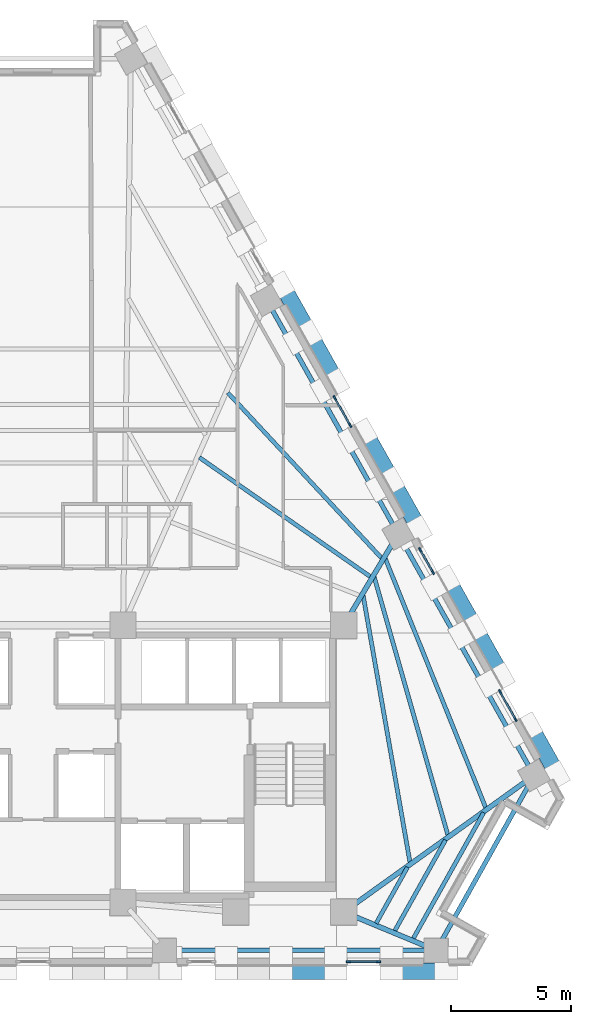
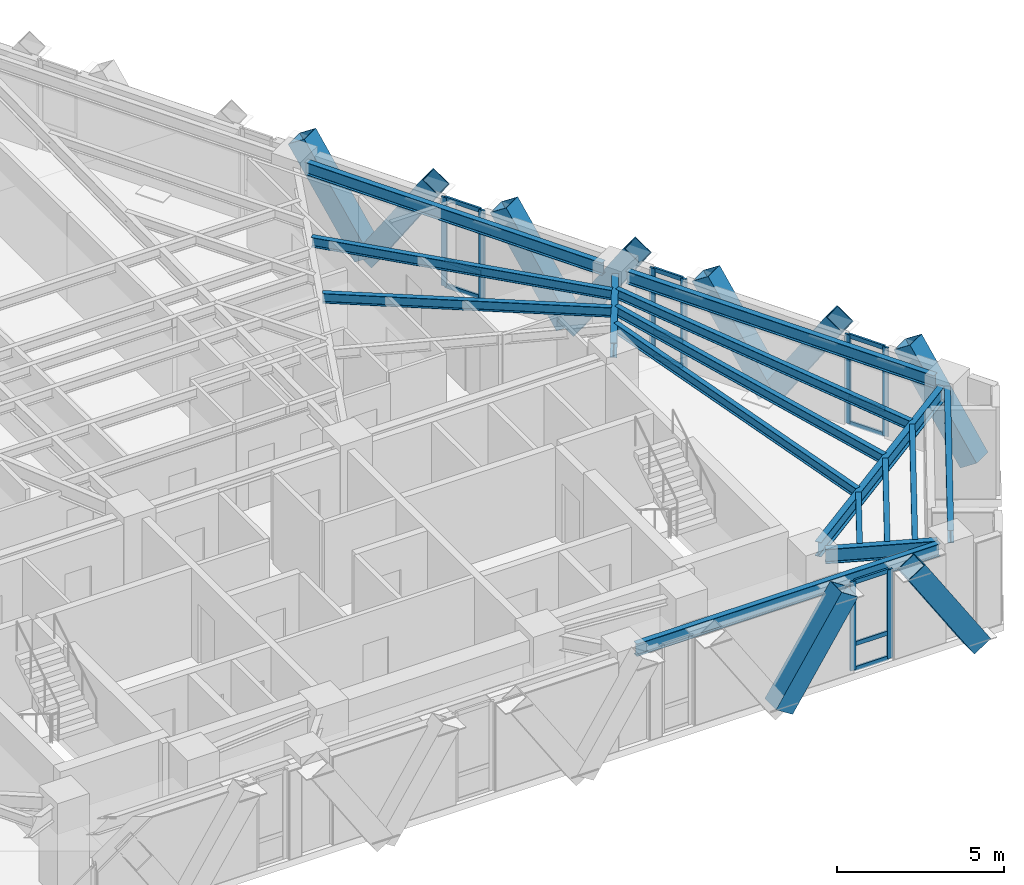
# One storey, part 4 of 13: 29 members, 15 beams, 4 elements without a shape of their own.
"""IFC4 building model written with IfcOpenShell, lengths in metres."""

from ifc_helpers import new_model, si_unit, direction, frame, origin, origin_2d, place, context, subcontext, project, spatial, rectangle, hollow_rectangle, i_section, extrude, material, material_profile, profile_set, type_object, element, aggregate, save


model = new_model("IFC4")

# Units and contexts
model_context = context("Model", 3, precision=1e-05, world=origin(), true_north=direction((0.0, 1.0)))
body_context = subcontext(model_context, "Body", "Model", "MODEL_VIEW")
ifc_project = project(units=[si_unit("LENGTHUNIT", "METRE"), si_unit("AREAUNIT", "SQUARE_METRE"), si_unit("VOLUMEUNIT", "CUBIC_METRE"), si_unit("PLANEANGLEUNIT", "RADIAN"), si_unit("MASSUNIT", "GRAM", prefix="KILO")], contexts=[model_context])

# Site, building, storey
site_placement = place(None, origin())
site = spatial("IfcSite", under=ifc_project, at=site_placement, CompositionType="ELEMENT")
building_placement = place(site_placement, origin())
building = spatial("IfcBuilding", under=site, at=building_placement, Name="Quenlor Broadcast Tower", CompositionType="ELEMENT")
storey_placement = place(building_placement, frame((0.0, 0.0, 172.0)))
storey = spatial("IfcBuildingStorey", under=building, at=storey_placement, Name="L47", CompositionType="ELEMENT", Elevation=172.0)

# Curtain wall, members
ifc_material_1 = material(Name="Architectural Terracotta and Low-E Glazing", Category="masonry")
curtain_wall_type = type_object("IfcCurtainWallType", Name="Unitised Terracotta Curtain Wall System Z3", PredefinedType="NOTDEFINED", material=ifc_material_1)
curtain_wall_1_placement = place(storey_placement, origin())
curtain_wall_1 = element("IfcCurtainWall", 1, at=curtain_wall_1_placement, inside=storey, type_object=curtain_wall_type, Name="L47 Curtain Wall CW3 (L47-SA-G1)", PredefinedType="NOTDEFINED")
ifc_material_2 = material(Name="Aluminium 6063-T6", Category="aluminium")
ifc_material_profile_1 = material_profile(ifc_material_2, rectangle(XDim=0.070068359375, YDim=0.18994140625, at=origin_2d()))
ifc_profile_set_1 = profile_set([ifc_material_profile_1], Name="Aluminium 6063-T6 MULL70x190")
member_type_1 = type_object("IfcMemberType", Name="CW3 Aluminium Mullion MULL_CW3", PredefinedType="MULLION", material=ifc_profile_set_1)
member_1_placement = place(storey_placement, frame((14.409912109375, -18.824951171875, 0.0), z_axis=(0.0, 0.0, 1.0), x_axis=(0.0, -1.0, 0.0)))
member_1 = element("IfcMember", 2, at=member_1_placement, type_object=member_type_1, Name="CW3 mullion 1", PredefinedType="MULLION", context=body_context, shape_type="SweptSolid", body=[
    extrude(rectangle(XDim=0.070068359375, YDim=0.18994140625, at=origin_2d()), origin(), (0.0, 0.0, 1.0), 3.25),
])
member_2_placement = place(storey_placement, frame((13.14208984375, -18.824951171875, 0.0), z_axis=(0.0, 0.0, 1.0), x_axis=(0.0, -1.0, 0.0)))
member_2 = element("IfcMember", 3, at=member_2_placement, type_object=member_type_1, Name="CW3 mullion 2", PredefinedType="MULLION", context=body_context, shape_type="SweptSolid", body=[
    extrude(rectangle(XDim=0.070068359375, YDim=0.18994140625, at=origin_2d()), origin(), (0.0, 0.0, 1.0), 3.25),
])

curtain_wall_2_placement = place(storey_placement, origin())
curtain_wall_2 = element("IfcCurtainWall", 4, at=curtain_wall_2_placement, inside=storey, type_object=curtain_wall_type, Name="L47 Curtain Wall CW3 (L47-NEC-G1)", PredefinedType="NOTDEFINED")
member_3_placement = place(storey_placement, frame((16.137939453125, -1.646728515625, 0.0), z_axis=(0.0, 0.0, 1.0), x_axis=(0.871580169247, 0.490253004657, 0.0)))
member_3 = element("IfcMember", 5, at=member_3_placement, type_object=member_type_1, Name="CW3 mullion 1", PredefinedType="MULLION", context=body_context, shape_type="SweptSolid", body=[
    extrude(rectangle(XDim=0.070068359375, YDim=0.18994140625, at=origin_2d()), origin(), (0.0, 0.0, 1.0), 3.25),
])
member_4_placement = place(storey_placement, frame((16.6689453125, -2.5908203125, 0.0), z_axis=(0.0, 0.0, 1.0), x_axis=(0.871580169247, 0.490253004657, 0.0)))
member_4 = element("IfcMember", 6, at=member_4_placement, type_object=member_type_1, Name="CW3 mullion 2", PredefinedType="MULLION", context=body_context, shape_type="SweptSolid", body=[
    extrude(rectangle(XDim=0.070068359375, YDim=0.18994140625, at=origin_2d()), origin(), (0.0, 0.0, 1.0), 3.25),
])

curtain_wall_3_placement = place(storey_placement, origin())
curtain_wall_3 = element("IfcCurtainWall", 7, at=curtain_wall_3_placement, inside=storey, type_object=curtain_wall_type, Name="L47 Curtain Wall CW3 (L47-NEC-G2)", PredefinedType="NOTDEFINED")
member_5_placement = place(storey_placement, frame((19.47021484375, -7.570556640625, 0.0), z_axis=(0.0, 0.0, 1.0), x_axis=(0.871575537123, 0.490261239636, 0.0)))
member_5 = element("IfcMember", 8, at=member_5_placement, type_object=member_type_1, Name="CW3 mullion 1", PredefinedType="MULLION", context=body_context, shape_type="SweptSolid", body=[
    extrude(rectangle(XDim=0.070068359375, YDim=0.18994140625, at=origin_2d()), origin(), (0.0, 0.0, 1.0), 3.25),
])
member_6_placement = place(storey_placement, frame((20.1171875, -8.720703125, 0.0), z_axis=(0.0, 0.0, 1.0), x_axis=(0.871575537123, 0.490261239636, 0.0)))
member_6 = element("IfcMember", 9, at=member_6_placement, type_object=member_type_1, Name="CW3 mullion 2", PredefinedType="MULLION", context=body_context, shape_type="SweptSolid", body=[
    extrude(rectangle(XDim=0.070068359375, YDim=0.18994140625, at=origin_2d()), origin(), (0.0, 0.0, 1.0), 3.25),
])

curtain_wall_4_placement = place(storey_placement, origin())
curtain_wall_4 = element("IfcCurtainWall", 10, at=curtain_wall_4_placement, inside=storey, type_object=curtain_wall_type, Name="L47 Curtain Wall CW3 (L47-NE-G1)", PredefinedType="NOTDEFINED")
member_7_placement = place(storey_placement, frame((12.573974609375, 4.689208984375, 0.0), z_axis=(0.0, 0.0, 1.0), x_axis=(0.871562085714, 0.490285152484, 0.0)))
member_7 = element("IfcMember", 11, at=member_7_placement, type_object=member_type_1, Name="CW3 mullion 1", PredefinedType="MULLION", context=body_context, shape_type="SweptSolid", body=[
    extrude(rectangle(XDim=0.070068359375, YDim=0.18994140625, at=origin_2d()), origin(), (0.0, 0.0, 1.0), 3.25),
])
member_8_placement = place(storey_placement, frame((13.220947265625, 3.5390625, 0.0), z_axis=(0.0, 0.0, 1.0), x_axis=(0.871562085714, 0.490285152484, 0.0)))
member_8 = element("IfcMember", 12, at=member_8_placement, type_object=member_type_1, Name="CW3 mullion 2", PredefinedType="MULLION", context=body_context, shape_type="SweptSolid", body=[
    extrude(rectangle(XDim=0.070068359375, YDim=0.18994140625, at=origin_2d()), origin(), (0.0, 0.0, 1.0), 3.25),
])

# Member
ifc_material_3 = material(Name="Aluminium 6063-T6", Category="aluminium")
ifc_material_profile_2 = material_profile(ifc_material_3, rectangle(XDim=0.070068359375, YDim=0.155029296875, at=origin_2d()))
ifc_profile_set_2 = profile_set([ifc_material_profile_2], Name="Aluminium 6063-T6 TRAN70x155")
member_type_2 = type_object("IfcMemberType", Name="CW3 Aluminium Transom TRAN_CW3", PredefinedType="USERDEFINED", material=ifc_profile_set_2)
member_9_placement = place(storey_placement, frame((14.375, -18.824951171875, 0.034912109375), z_axis=(-1.0, 0.0, 0.0), x_axis=(0.0, -1.0, 0.0)))
member_9 = element("IfcMember", 13, at=member_9_placement, type_object=member_type_2, Name="CW3 transom 1.1", ObjectType="TRANSOM", PredefinedType="USERDEFINED", context=body_context, shape_type="SweptSolid", body=[
    extrude(rectangle(XDim=0.070068359375, YDim=0.155029296875, at=origin_2d()), origin(), (0.0, 0.0, 1.0), 1.197998046875),
])

member_10_placement = place(storey_placement, frame((14.375, -18.824951171875, 0.949951171875), z_axis=(-1.0, 0.0, 0.0), x_axis=(0.0, -1.0, 0.0)))
member_10 = element("IfcMember", 14, at=member_10_placement, type_object=member_type_2, Name="CW3 transom 1.2", ObjectType="TRANSOM", PredefinedType="USERDEFINED", context=body_context, shape_type="SweptSolid", body=[
    extrude(rectangle(XDim=0.070068359375, YDim=0.155029296875, at=origin_2d()), origin(), (0.0, 0.0, 1.0), 1.197998046875),
])

member_11_placement = place(storey_placement, frame((14.375, -18.824951171875, 3.215087890625), z_axis=(-1.0, 0.0, 0.0), x_axis=(0.0, -1.0, 0.0)))
member_11 = element("IfcMember", 15, at=member_11_placement, type_object=member_type_2, Name="CW3 transom 1.3", ObjectType="TRANSOM", PredefinedType="USERDEFINED", context=body_context, shape_type="SweptSolid", body=[
    extrude(rectangle(XDim=0.070068359375, YDim=0.155029296875, at=origin_2d()), origin(), (0.0, 0.0, 1.0), 1.197998046875),
])

aggregate(curtain_wall_1, [member_1, member_2, member_9, member_10, member_11])

member_12_placement = place(storey_placement, frame((16.1552734375, -1.67724609375, 0.034912109375), z_axis=(0.49015826449, -0.871633452635, 0.0), x_axis=(0.871633452635, 0.49015826449, 0.0)))
member_12 = element("IfcMember", 16, at=member_12_placement, type_object=member_type_2, Name="CW3 transom 1.1", ObjectType="TRANSOM", PredefinedType="USERDEFINED", context=body_context, shape_type="SweptSolid", body=[
    extrude(rectangle(XDim=0.070068359375, YDim=0.155029296875, at=origin_2d()), origin(), (0.0, 0.0, 1.0), 1.01318359375),
])

member_13_placement = place(storey_placement, frame((16.1552734375, -1.67724609375, 0.949951171875), z_axis=(0.49015826449, -0.871633452635, 0.0), x_axis=(0.871633452635, 0.49015826449, 0.0)))
member_13 = element("IfcMember", 17, at=member_13_placement, type_object=member_type_2, Name="CW3 transom 1.2", ObjectType="TRANSOM", PredefinedType="USERDEFINED", context=body_context, shape_type="SweptSolid", body=[
    extrude(rectangle(XDim=0.070068359375, YDim=0.155029296875, at=origin_2d()), origin(), (0.0, 0.0, 1.0), 1.01318359375),
])

member_14_placement = place(storey_placement, frame((16.1552734375, -1.67724609375, 3.215087890625), z_axis=(0.49015826449, -0.871633452635, 0.0), x_axis=(0.871633452635, 0.49015826449, 0.0)))
member_14 = element("IfcMember", 18, at=member_14_placement, type_object=member_type_2, Name="CW3 transom 1.3", ObjectType="TRANSOM", PredefinedType="USERDEFINED", context=body_context, shape_type="SweptSolid", body=[
    extrude(rectangle(XDim=0.070068359375, YDim=0.155029296875, at=origin_2d()), origin(), (0.0, 0.0, 1.0), 1.01318359375),
])

aggregate(curtain_wall_2, [member_3, member_4, member_12, member_13, member_14])

member_15_placement = place(storey_placement, frame((19.4873046875, -7.60107421875, 0.034912109375), z_axis=(0.490363266059, -0.871518139398, 0.0), x_axis=(0.871518139398, 0.490363266059, 0.0)))
member_15 = element("IfcMember", 19, at=member_15_placement, type_object=member_type_2, Name="CW3 transom 1.1", ObjectType="TRANSOM", PredefinedType="USERDEFINED", context=body_context, shape_type="SweptSolid", body=[
    extrude(rectangle(XDim=0.070068359375, YDim=0.155029296875, at=origin_2d()), origin(), (0.0, 0.0, 1.0), 1.249755859375),
])

member_16_placement = place(storey_placement, frame((19.4873046875, -7.60107421875, 0.949951171875), z_axis=(0.490363266059, -0.871518139398, 0.0), x_axis=(0.871518139398, 0.490363266059, 0.0)))
member_16 = element("IfcMember", 20, at=member_16_placement, type_object=member_type_2, Name="CW3 transom 1.2", ObjectType="TRANSOM", PredefinedType="USERDEFINED", context=body_context, shape_type="SweptSolid", body=[
    extrude(rectangle(XDim=0.070068359375, YDim=0.155029296875, at=origin_2d()), origin(), (0.0, 0.0, 1.0), 1.249755859375),
])

member_17_placement = place(storey_placement, frame((19.4873046875, -7.60107421875, 3.215087890625), z_axis=(0.490363266059, -0.871518139398, 0.0), x_axis=(0.871518139398, 0.490363266059, 0.0)))
member_17 = element("IfcMember", 21, at=member_17_placement, type_object=member_type_2, Name="CW3 transom 1.3", ObjectType="TRANSOM", PredefinedType="USERDEFINED", context=body_context, shape_type="SweptSolid", body=[
    extrude(rectangle(XDim=0.070068359375, YDim=0.155029296875, at=origin_2d()), origin(), (0.0, 0.0, 1.0), 1.249755859375),
])

aggregate(curtain_wall_3, [member_5, member_6, member_15, member_16, member_17])

member_18_placement = place(storey_placement, frame((12.591064453125, 4.65869140625, 0.034912109375), z_axis=(0.490363266059, -0.871518139398, 0.0), x_axis=(0.871518139398, 0.490363266059, 0.0)))
member_18 = element("IfcMember", 22, at=member_18_placement, type_object=member_type_2, Name="CW3 transom 1.1", ObjectType="TRANSOM", PredefinedType="USERDEFINED", context=body_context, shape_type="SweptSolid", body=[
    extrude(rectangle(XDim=0.070068359375, YDim=0.155029296875, at=origin_2d()), origin(), (0.0, 0.0, 1.0), 1.249755859375),
])

member_19_placement = place(storey_placement, frame((12.591064453125, 4.65869140625, 0.949951171875), z_axis=(0.490363266059, -0.871518139398, 0.0), x_axis=(0.871518139398, 0.490363266059, 0.0)))
member_19 = element("IfcMember", 23, at=member_19_placement, type_object=member_type_2, Name="CW3 transom 1.2", ObjectType="TRANSOM", PredefinedType="USERDEFINED", context=body_context, shape_type="SweptSolid", body=[
    extrude(rectangle(XDim=0.070068359375, YDim=0.155029296875, at=origin_2d()), origin(), (0.0, 0.0, 1.0), 1.249755859375),
])

member_20_placement = place(storey_placement, frame((12.591064453125, 4.65869140625, 3.215087890625), z_axis=(0.490363266059, -0.871518139398, 0.0), x_axis=(0.871518139398, 0.490363266059, 0.0)))
member_20 = element("IfcMember", 24, at=member_20_placement, type_object=member_type_2, Name="CW3 transom 1.3", ObjectType="TRANSOM", PredefinedType="USERDEFINED", context=body_context, shape_type="SweptSolid", body=[
    extrude(rectangle(XDim=0.070068359375, YDim=0.155029296875, at=origin_2d()), origin(), (0.0, 0.0, 1.0), 1.249755859375),
])

aggregate(curtain_wall_4, [member_7, member_8, member_18, member_19, member_20])

# Members
ifc_material_4 = material(Name="Steel S355", Category="steel")
ifc_material_profile_3 = material_profile(ifc_material_4, hollow_rectangle(XDim=0.679931640625, YDim=0.679931640625, WallThickness=0.02490234375, at=origin_2d()))
ifc_profile_set_3 = profile_set([ifc_material_profile_3], Name="Steel S355 RHS680x680x25")
member_type_3 = type_object("IfcMemberType", Name="Perimeter Diagonal Lattice Brace Z3-Z4 Steel S355 RHS680x25", PredefinedType="BRACE", material=ifc_profile_set_3)
for number, where, z_axis, x_axis, name in (
    (25, (17.206298828125, -19.219970703125, -0.1201171875), (-0.543901560697, 0.0, 0.839149028643), (0.0, -1.0, 0.0), "L47 Perimeter Diamond Lattice S-C1S"),
    (26, (10.345703125, -19.219970703125, -0.1201171875), (0.543901560697, 0.0, 0.839149028643), (0.0, 1.0, 0.0), "L47 Perimeter Diamond Lattice S-C1B"),
):
    element("IfcMember", number, at=place(storey_placement, frame(where, z_axis=z_axis, x_axis=x_axis)), inside=storey, type_object=member_type_3, Name=name, PredefinedType="BRACE", context=body_context, shape_type="SweptSolid", body=[
        extrude(hollow_rectangle(XDim=0.679931640625, YDim=0.679931640625, WallThickness=0.02490234375, at=origin_2d()), origin(), (0.0, 0.0, 1.0), 4.1708984375),
    ])
for number, where, z_axis, x_axis, name in (
    (27, (11.5107421875, 7.385009765625, -0.1201171875), (-0.2705491942, 0.481008661973, 0.833926735766), (-0.871589611547, -0.490236217596, 0.0), "L47 Perimeter Diamond Lattice NE-C2B"),
    (28, (11.524658203125, 7.360595703125, -0.1201171875), (0.2705491942, -0.481008661973, 0.833926735766), (0.871589611547, 0.490236217596, 0.0), "L47 Perimeter Diamond Lattice NE-C3S"),
    (29, (14.958984375, 1.255126953125, -0.1201171875), (-0.2705491942, 0.481008661973, 0.833926735766), (-0.871589611547, -0.490236217596, 0.0), "L47 Perimeter Diamond Lattice NE-C3B"),
    (30, (14.97265625, 1.230712890625, -0.1201171875), (0.27060310517, -0.481001091283, 0.833913610428), (0.871544572467, 0.490316283845, 0.0), "L47 Perimeter Diamond Lattice NE-C4S"),
    (31, (18.406982421875, -4.874755859375, -0.1201171875), (-0.2705491942, 0.481008661973, 0.833926735766), (-0.871589611547, -0.490236217596, 0.0), "L47 Perimeter Diamond Lattice NE-C4B"),
    (32, (18.4208984375, -4.8994140625, -0.1201171875), (0.2705491942, -0.481008661973, 0.833926735766), (0.871589611547, 0.490236217596, 0.0), "L47 Perimeter Diamond Lattice NE-C5S"),
    (33, (21.85498046875, -11.004638671875, -0.1201171875), (-0.2705491942, 0.481008661973, 0.833926735766), (-0.871589611547, -0.490236217596, 0.0), "L47 Perimeter Diamond Lattice NE-C5B"),
):
    element("IfcMember", number, at=place(storey_placement, frame(where, z_axis=z_axis, x_axis=x_axis)), inside=storey, type_object=member_type_3, Name=name, PredefinedType="BRACE", context=body_context, shape_type="SweptSolid", body=[
        extrude(hollow_rectangle(XDim=0.679931640625, YDim=0.679931640625, WallThickness=0.02490234375, at=origin_2d()), origin(), (0.0, 0.0, 1.0), 4.197021484375),
    ])

# Beams
ifc_material_5 = material(Name="Steel S355", Category="steel")
ifc_material_profile_4 = material_profile(ifc_material_5, i_section(OverallWidth=0.19091796875, OverallDepth=0.46044921875, WebThickness=0.010009765625, FlangeThickness=0.01611328125, FilletRadius=0.011474609375, at=origin_2d()))
ifc_profile_set_4 = profile_set([ifc_material_profile_4], Name="Steel S355 460UB82.1")
beam_type_1 = type_object("IfcBeamType", Name="Perimeter Spandrel Beam Z3 Steel S355 460UB82.1", PredefinedType="SPANDREL", material=ifc_profile_set_4)
beam_1_placement = place(storey_placement, frame((5.89111328125, -18.35009765625, 3.019775390625), z_axis=(1.0, 0.0, 0.0), x_axis=(0.0, 1.0, 0.0)))
element("IfcBeam", 34, at=beam_1_placement, inside=storey, type_object=beam_type_1, Name="L47 Spandrel Beam S3-S4", PredefinedType="SPANDREL", context=body_context, shape_type="SweptSolid", body=[
    extrude(i_section(OverallWidth=0.19091796875, OverallDepth=0.46044921875, WebThickness=0.010009765625, FlangeThickness=0.01611328125, FilletRadius=0.011474609375, at=origin_2d()), origin(), (0.0, 0.0, 1.0), 10.50732421875),
])
beam_2_placement = place(storey_placement, frame((17.008544921875, -17.9921875, 3.019775390625), z_axis=(0.488298439934, 0.872676706208, 0.0), x_axis=(-0.872676706208, 0.488298439934, 0.0)))
element("IfcBeam", 35, at=beam_2_placement, inside=storey, type_object=beam_type_1, Name="L47 Spandrel Beam S4-NE1", PredefinedType="SPANDREL", context=body_context, shape_type="SweptSolid", body=[
    extrude(i_section(OverallWidth=0.19091796875, OverallDepth=0.46044921875, WebThickness=0.010009765625, FlangeThickness=0.01611328125, FilletRadius=0.011474609375, at=origin_2d()), origin(), (0.0, 0.0, 1.0), 7.5341796875),
])
beam_3_placement = place(storey_placement, frame((20.686767578125, -10.7021484375, 3.019775390625), z_axis=(-0.490257999604, 0.871577359633, 0.0), x_axis=(-0.871577359633, -0.490257999604, 0.0)))
element("IfcBeam", 36, at=beam_3_placement, inside=storey, type_object=beam_type_1, Name="L47 Spandrel Beam NE1-NE2", PredefinedType="SPANDREL", context=body_context, shape_type="SweptSolid", body=[
    extrude(i_section(OverallWidth=0.19091796875, OverallDepth=0.46044921875, WebThickness=0.010009765625, FlangeThickness=0.01611328125, FilletRadius=0.011474609375, at=origin_2d()), origin(), (0.0, 0.0, 1.0), 10.732666015625),
])
beam_4_placement = place(storey_placement, frame((15.02294921875, -0.63330078125, 3.019775390625), z_axis=(-0.490252288562, 0.871580572041, 0.0), x_axis=(-0.871580572041, -0.490252288562, 0.0)))
element("IfcBeam", 37, at=beam_4_placement, inside=storey, type_object=beam_type_1, Name="L47 Spandrel Beam NE2-NE3", PredefinedType="SPANDREL", context=body_context, shape_type="SweptSolid", body=[
    extrude(i_section(OverallWidth=0.19091796875, OverallDepth=0.46044921875, WebThickness=0.010009765625, FlangeThickness=0.01611328125, FilletRadius=0.011474609375, at=origin_2d()), origin(), (0.0, 0.0, 1.0), 10.359619140625),
])
ifc_material_6 = material(Name="Steel S355", Category="steel")
ifc_material_profile_5 = material_profile(ifc_material_6, i_section(OverallWidth=0.172119140625, OverallDepth=0.358642578125, WebThickness=0.008056640625, FlangeThickness=0.012939453125, FilletRadius=0.011474609375, at=origin_2d()))
ifc_profile_set_5 = profile_set([ifc_material_profile_5], Name="Steel S355 360UB56.7")
beam_type_2 = type_object("IfcBeamType", Name="Tower Composite Joist Z2-Z3 Steel S355 360UB56.7", PredefinedType="JOIST", material=ifc_profile_set_5)
beam_5_placement = place(storey_placement, frame((14.06689453125, -2.7734375, 3.07080078125), z_axis=(-0.82026568394, 0.57198269882, 0.0), x_axis=(-0.57198269882, -0.82026568394, 0.0)))
element("IfcBeam", 38, at=beam_5_placement, inside=storey, type_object=beam_type_2, Name="L47 Secondary Composite Joist 11", PredefinedType="JOIST", context=body_context, shape_type="SweptSolid", body=[
    extrude(i_section(OverallWidth=0.172119140625, OverallDepth=0.358642578125, WebThickness=0.008056640625, FlangeThickness=0.012939453125, FilletRadius=0.011474609375, at=origin_2d()), origin(), (0.0, 0.0, 1.0), 8.698486328125),
])
beam_6_placement = place(storey_placement, frame((14.53271484375, -1.998779296875, 3.07080078125), z_axis=(-0.680873505991, 0.732401030065, 0.0), x_axis=(-0.732401030065, -0.680873505991, 0.0)))
element("IfcBeam", 39, at=beam_6_placement, inside=storey, type_object=beam_type_2, Name="L47 Secondary Composite Joist 12", PredefinedType="JOIST", context=body_context, shape_type="SweptSolid", body=[
    extrude(i_section(OverallWidth=0.172119140625, OverallDepth=0.358642578125, WebThickness=0.008056640625, FlangeThickness=0.012939453125, FilletRadius=0.011474609375, at=origin_2d()), origin(), (0.0, 0.0, 1.0), 9.419189453125),
])
beam_7_placement = place(storey_placement, frame((15.71435546875, -14.679443359375, 3.07080078125), z_axis=(-0.172906811417, 0.984938188195, 0.0), x_axis=(-0.984938188195, -0.172906811417, 0.0)))
element("IfcBeam", 40, at=beam_7_placement, inside=storey, type_object=beam_type_2, Name="L47 Secondary Composite Joist 16", PredefinedType="JOIST", context=body_context, shape_type="SweptSolid", body=[
    extrude(i_section(OverallWidth=0.172119140625, OverallDepth=0.358642578125, WebThickness=0.008056640625, FlangeThickness=0.012939453125, FilletRadius=0.011474609375, at=origin_2d()), origin(), (0.0, 0.0, 1.0), 11.30419921875),
])
beam_8_placement = place(storey_placement, frame((17.293701171875, -13.543212890625, 3.07080078125), z_axis=(-0.274418577045, 0.961610339261, 0.0), x_axis=(-0.961610339261, -0.274418577045, 0.0)))
element("IfcBeam", 41, at=beam_8_placement, inside=storey, type_object=beam_type_2, Name="L47 Secondary Composite Joist 17", PredefinedType="JOIST", context=body_context, shape_type="SweptSolid", body=[
    extrude(i_section(OverallWidth=0.172119140625, OverallDepth=0.358642578125, WebThickness=0.008056640625, FlangeThickness=0.012939453125, FilletRadius=0.011474609375, at=origin_2d()), origin(), (0.0, 0.0, 1.0), 11.191162109375),
])
beam_9_placement = place(storey_placement, frame((18.873291015625, -12.407958984375, 3.07080078125), z_axis=(-0.373824118901, 0.927499610851, 0.0), x_axis=(-0.927499610851, -0.373824118901, 0.0)))
element("IfcBeam", 42, at=beam_9_placement, inside=storey, type_object=beam_type_2, Name="L47 Secondary Composite Joist 18", PredefinedType="JOIST", context=body_context, shape_type="SweptSolid", body=[
    extrude(i_section(OverallWidth=0.172119140625, OverallDepth=0.358642578125, WebThickness=0.008056640625, FlangeThickness=0.012939453125, FilletRadius=0.011474609375, at=origin_2d()), origin(), (0.0, 0.0, 1.0), 11.203125),
])
beam_10_placement = place(storey_placement, frame((14.30078125, -17.22412109375, 3.07080078125), z_axis=(0.488370382241, 0.87263644764, 0.0), x_axis=(-0.87263644764, 0.488370382241, 0.0)))
element("IfcBeam", 43, at=beam_10_placement, inside=storey, type_object=beam_type_2, Name="L47 Secondary Composite Joist 22", PredefinedType="JOIST", context=body_context, shape_type="SweptSolid", body=[
    extrude(i_section(OverallWidth=0.172119140625, OverallDepth=0.358642578125, WebThickness=0.008056640625, FlangeThickness=0.012939453125, FilletRadius=0.011474609375, at=origin_2d()), origin(), (0.0, 0.0, 1.0), 2.680419921875),
])
beam_11_placement = place(storey_placement, frame((15.072509765625, -17.544189453125, 3.07080078125), z_axis=(0.488294103756, 0.872679132463, 0.0), x_axis=(-0.872679132463, 0.488294103756, 0.0)))
element("IfcBeam", 44, at=beam_11_placement, inside=storey, type_object=beam_type_2, Name="L47 Secondary Composite Joist 23", PredefinedType="JOIST", context=body_context, shape_type="SweptSolid", body=[
    extrude(i_section(OverallWidth=0.172119140625, OverallDepth=0.358642578125, WebThickness=0.008056640625, FlangeThickness=0.012939453125, FilletRadius=0.011474609375, at=origin_2d()), origin(), (0.0, 0.0, 1.0), 4.351318359375),
])
beam_12_placement = place(storey_placement, frame((15.84423828125, -17.8642578125, 3.07080078125), z_axis=(0.488308300212, 0.872671188905, 0.0), x_axis=(-0.872671188905, 0.488308300212, 0.0)))
element("IfcBeam", 45, at=beam_12_placement, inside=storey, type_object=beam_type_2, Name="L47 Secondary Composite Joist 24", PredefinedType="JOIST", context=body_context, shape_type="SweptSolid", body=[
    extrude(i_section(OverallWidth=0.172119140625, OverallDepth=0.358642578125, WebThickness=0.008056640625, FlangeThickness=0.012939453125, FilletRadius=0.011474609375, at=origin_2d()), origin(), (0.0, 0.0, 1.0), 6.022216796875),
])
ifc_material_7 = material(Name="Steel S355", Category="steel")
ifc_material_profile_6 = material_profile(ifc_material_7, i_section(OverallWidth=0.208984375, OverallDepth=0.532958984375, WebThickness=0.01025390625, FlangeThickness=0.015625, FilletRadius=0.013916015625, at=origin_2d()))
ifc_profile_set_6 = profile_set([ifc_material_profile_6], Name="Steel S355 530UB92.4")
beam_type_3 = type_object("IfcBeamType", Name="Tower Primary Floor Beam Z3 Steel S355 530UB92.4", PredefinedType="BEAM", material=ifc_profile_set_6)
beam_13_placement = place(storey_placement, frame((16.4296875, -18.19287109375, 2.9833984375), z_axis=(-0.923730294618, 0.383043525993, 0.0), x_axis=(-0.383043525993, -0.923730294618, 0.0)))
element("IfcBeam", 46, at=beam_13_placement, inside=storey, type_object=beam_type_3, Name="L47 Primary Radial Beam S4", PredefinedType="BEAM", context=body_context, shape_type="SweptSolid", body=[
    extrude(i_section(OverallWidth=0.208984375, OverallDepth=0.532958984375, WebThickness=0.01025390625, FlangeThickness=0.015625, FilletRadius=0.013916015625, at=origin_2d()), origin(), (0.0, 0.0, 1.0), 3.386962890625),
])
beam_14_placement = place(storey_placement, frame((20.554443359375, -11.29833984375, 2.9833984375), z_axis=(-0.812728908832, -0.582642017666, 0.0), x_axis=(0.582642017666, -0.812728908832, 0.0)))
element("IfcBeam", 47, at=beam_14_placement, inside=storey, type_object=beam_type_3, Name="L47 Primary Radial Beam NE1", PredefinedType="BEAM", context=body_context, shape_type="SweptSolid", body=[
    extrude(i_section(OverallWidth=0.208984375, OverallDepth=0.532958984375, WebThickness=0.01025390625, FlangeThickness=0.015625, FilletRadius=0.013916015625, at=origin_2d()), origin(), (0.0, 0.0, 1.0), 8.976806640625),
])
beam_15_placement = place(storey_placement, frame((15.013916015625, -1.3427734375, 2.9833984375), z_axis=(-0.512604023694, -0.858625130597, 0.0), x_axis=(0.858625130597, -0.512604023694, 0.0)))
element("IfcBeam", 48, at=beam_15_placement, inside=storey, type_object=beam_type_3, Name="L47 Primary Radial Beam NE2", PredefinedType="BEAM", context=body_context, shape_type="SweptSolid", body=[
    extrude(i_section(OverallWidth=0.208984375, OverallDepth=0.532958984375, WebThickness=0.01025390625, FlangeThickness=0.015625, FilletRadius=0.013916015625, at=origin_2d()), origin(), (0.0, 0.0, 1.0), 3.646484375),
])

save(model, "model.ifc")
